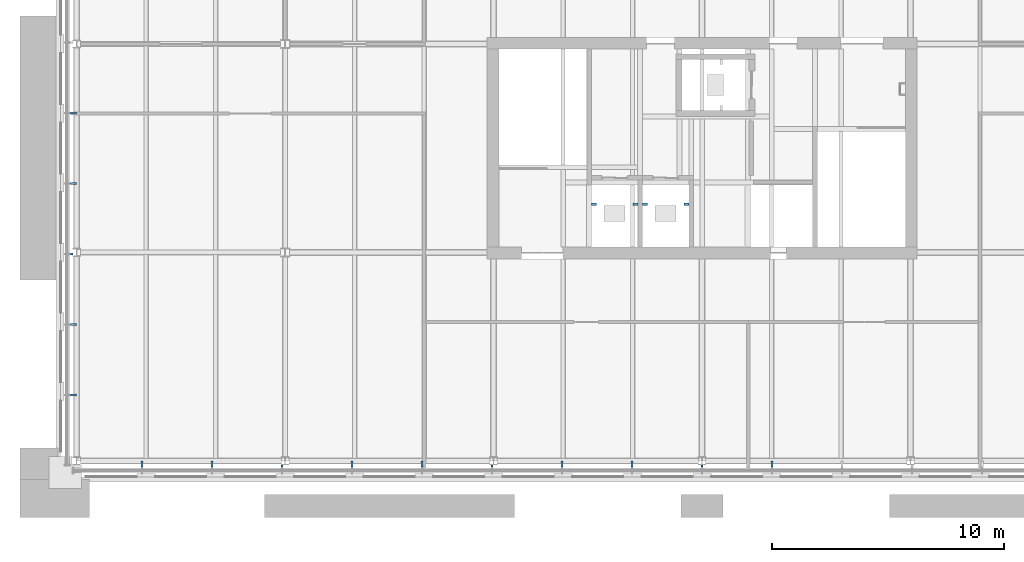
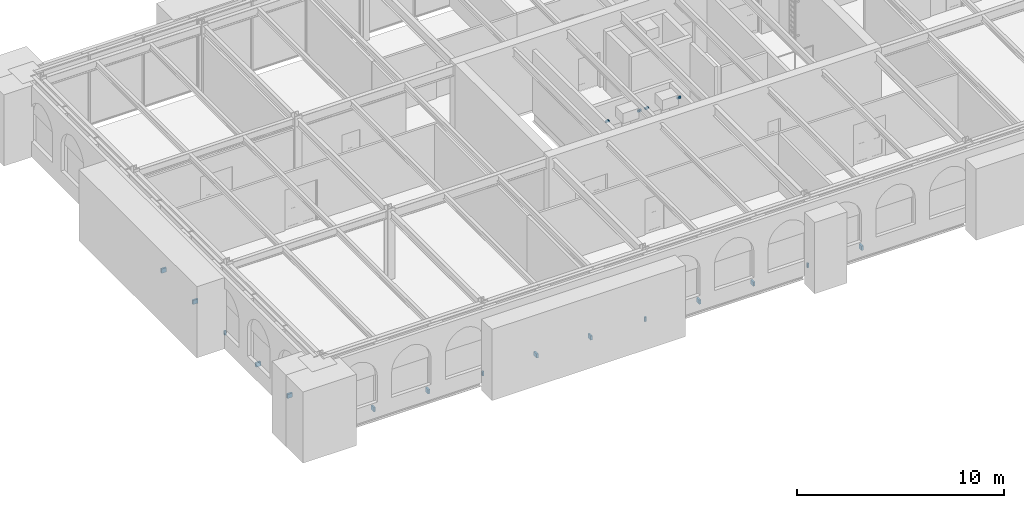
# One storey, part 17 of 24: 19 discrete accessories.
"""IFC4 building model written with IfcOpenShell, lengths in metres."""

from ifc_helpers import new_model, si_unit, direction, frame, origin, origin_2d, place, context, subcontext, project, spatial, rectangle, extrude, material, type_object, element, save


model = new_model("IFC4")

# Units and contexts
model_context = context("Model", 3, precision=1e-05, world=origin(), true_north=direction((0.0, 1.0)))
body_context = subcontext(model_context, "Body", "Model", "MODEL_VIEW")
ifc_project = project(units=[si_unit("LENGTHUNIT", "METRE"), si_unit("AREAUNIT", "SQUARE_METRE"), si_unit("VOLUMEUNIT", "CUBIC_METRE"), si_unit("PLANEANGLEUNIT", "RADIAN"), si_unit("MASSUNIT", "GRAM", prefix="KILO")], contexts=[model_context])

# Site, building, storey
site_placement = place(None, origin())
site = spatial("IfcSite", under=ifc_project, at=site_placement, CompositionType="ELEMENT")
building_placement = place(site_placement, origin())
building = spatial("IfcBuilding", under=site, at=building_placement, Name="Baradari Gate Terminus", CompositionType="ELEMENT")
storey_placement = place(building_placement, frame((0.0, 0.0, 32.699951171875)))
storey = spatial("IfcBuildingStorey", under=building, at=storey_placement, Name="L07", CompositionType="ELEMENT", Elevation=32.699951171875)

# Discrete accessories
ifc_material_1 = material(Name="Aluminium 6063-T6", Category="aluminium")
discrete_accessory_type_1 = type_object("IfcDiscreteAccessoryType", Name="Curtain wall bracket BK-1 100x250", PredefinedType="BRACKET", material=ifc_material_1)
for number, where, z_axis, x_axis, name in (
    (1, (11.822265625, 116.864990234375, -0.1298828125), (0.0, 0.0, 1.0), (0.0, -1.0, 0.0), "Curtain wall bracket L07/TS mullion 2"),
    (2, (14.844482421875, 116.864990234375, -0.1298828125), (0.0, 0.0, 1.0), (0.0, -1.0, 0.0), "Curtain wall bracket L07/TS mullion 3"),
):
    element("IfcDiscreteAccessory", number, at=place(storey_placement, frame(where, z_axis=z_axis, x_axis=x_axis)), inside=storey, type_object=discrete_accessory_type_1, Name=name, PredefinedType="BRACKET", context=body_context, shape_type="SweptSolid", body=[
        extrude(rectangle(XDim=0.27001953125, YDim=0.10009765625, at=origin_2d()), origin(), (0.0, 0.0, 1.0), 0.25),
    ])
discrete_accessory_1_placement = place(storey_placement, frame((17.86669921875, 116.780029296875, -0.1298828125), z_axis=(0.0, 0.0, 1.0), x_axis=(0.0, -1.0, 0.0)))
element("IfcDiscreteAccessory", 3, at=discrete_accessory_1_placement, inside=storey, type_object=discrete_accessory_type_1, Name="Curtain wall bracket L07/TS mullion 4", PredefinedType="BRACKET", context=body_context, shape_type="SweptSolid", body=[
    extrude(rectangle(XDim=0.10009765625, YDim=0.10009765625, at=origin_2d()), origin(), (0.0, 0.0, 1.0), 0.25),
])
for number, where, z_axis, x_axis, name in (
    (4, (20.888916015625, 116.864990234375, -0.1298828125), (0.0, 0.0, 1.0), (0.0, -1.0, 0.0), "Curtain wall bracket L07/TS mullion 5"),
    (5, (23.9111328125, 116.864990234375, -0.1298828125), (0.0, 0.0, 1.0), (0.0, -1.0, 0.0), "Curtain wall bracket L07/TS mullion 6"),
):
    element("IfcDiscreteAccessory", number, at=place(storey_placement, frame(where, z_axis=z_axis, x_axis=x_axis)), inside=storey, type_object=discrete_accessory_type_1, Name=name, PredefinedType="BRACKET", context=body_context, shape_type="SweptSolid", body=[
        extrude(rectangle(XDim=0.27001953125, YDim=0.10009765625, at=origin_2d()), origin(), (0.0, 0.0, 1.0), 0.25),
    ])
discrete_accessory_2_placement = place(storey_placement, frame((26.933349609375, 116.780029296875, -0.099853515625), z_axis=(0.0, 0.0, 1.0), x_axis=(0.0, -1.0, 0.0)))
element("IfcDiscreteAccessory", 6, at=discrete_accessory_2_placement, inside=storey, type_object=discrete_accessory_type_1, Name="Curtain wall bracket L07/TS mullion 7", PredefinedType="BRACKET", context=body_context, shape_type="SweptSolid", body=[
    extrude(rectangle(XDim=0.10009765625, YDim=0.10009765625, at=origin_2d()), origin(), (0.0, 0.0, 1.0), 0.25),
])
for number, where, z_axis, x_axis, name in (
    (7, (29.95556640625, 116.864990234375, -0.1298828125), (0.0, 0.0, 1.0), (0.0, -1.0, 0.0), "Curtain wall bracket L07/TS mullion 8"),
    (8, (32.977783203125, 116.864990234375, -0.1298828125), (0.0, 0.0, 1.0), (0.0, -1.0, 0.0), "Curtain wall bracket L07/TS mullion 9"),
):
    element("IfcDiscreteAccessory", number, at=place(storey_placement, frame(where, z_axis=z_axis, x_axis=x_axis)), inside=storey, type_object=discrete_accessory_type_1, Name=name, PredefinedType="BRACKET", context=body_context, shape_type="SweptSolid", body=[
        extrude(rectangle(XDim=0.27001953125, YDim=0.10009765625, at=origin_2d()), origin(), (0.0, 0.0, 1.0), 0.25),
    ])
discrete_accessory_3_placement = place(storey_placement, frame((36.0, 116.780029296875, -0.099853515625), z_axis=(0.0, 0.0, 1.0), x_axis=(0.0, -1.0, 0.0)))
element("IfcDiscreteAccessory", 9, at=discrete_accessory_3_placement, inside=storey, type_object=discrete_accessory_type_1, Name="Curtain wall bracket L07/TS mullion 10", PredefinedType="BRACKET", context=body_context, shape_type="SweptSolid", body=[
    extrude(rectangle(XDim=0.10009765625, YDim=0.10009765625, at=origin_2d()), origin(), (0.0, 0.0, 1.0), 0.25),
])
for number, where, z_axis, x_axis, name in (
    (10, (39.022216796875, 116.864990234375, -0.1298828125), (0.0, 0.0, 1.0), (0.0, -1.0, 0.0), "Curtain wall bracket L07/TS mullion 11"),
    (11, (8.864990234375, 132.022216796875, -0.1298828125), (0.0, 0.0, 1.0), (-1.0, 0.0, 0.0), "Curtain wall bracket L07/TW mullion 5"),
    (12, (8.864990234375, 128.977783203125, -0.1298828125), (0.0, 0.0, 1.0), (-1.0, 0.0, 0.0), "Curtain wall bracket L07/TW mullion 6"),
):
    element("IfcDiscreteAccessory", number, at=place(storey_placement, frame(where, z_axis=z_axis, x_axis=x_axis)), inside=storey, type_object=discrete_accessory_type_1, Name=name, PredefinedType="BRACKET", context=body_context, shape_type="SweptSolid", body=[
        extrude(rectangle(XDim=0.27001953125, YDim=0.10009765625, at=origin_2d()), origin(), (0.0, 0.0, 1.0), 0.25),
    ])
discrete_accessory_4_placement = place(storey_placement, frame((8.786376953125, 125.933349609375, -0.099853515625), z_axis=(0.0, 0.0, 1.0), x_axis=(-1.0, 0.0, 0.0)))
element("IfcDiscreteAccessory", 13, at=discrete_accessory_4_placement, inside=storey, type_object=discrete_accessory_type_1, Name="Curtain wall bracket L07/TW mullion 7", PredefinedType="BRACKET", context=body_context, shape_type="SweptSolid", body=[
    extrude(rectangle(XDim=0.11279296875, YDim=0.10009765625, at=origin_2d()), origin(), (0.0, 0.0, 1.0), 0.25),
])
for number, where, z_axis, x_axis, name in (
    (14, (8.864990234375, 122.888916015625, -0.1298828125), (0.0, 0.0, 1.0), (-1.0, 0.0, 0.0), "Curtain wall bracket L07/TW mullion 8"),
    (15, (8.864990234375, 119.844482421875, -0.1298828125), (0.0, 0.0, 1.0), (-1.0, 0.0, 0.0), "Curtain wall bracket L07/TW mullion 9"),
):
    element("IfcDiscreteAccessory", number, at=place(storey_placement, frame(where, z_axis=z_axis, x_axis=x_axis)), inside=storey, type_object=discrete_accessory_type_1, Name=name, PredefinedType="BRACKET", context=body_context, shape_type="SweptSolid", body=[
        extrude(rectangle(XDim=0.27001953125, YDim=0.10009765625, at=origin_2d()), origin(), (0.0, 0.0, 1.0), 0.25),
    ])
ifc_material_2 = material(Name="Steel S355", Category="steel")
discrete_accessory_type_2 = type_object("IfcDiscreteAccessoryType", Name="Lift rail bracket RB-L1 100x100", PredefinedType="BRACKET", material=ifc_material_2)
for number, where, z_axis, x_axis, name in (
    (16, (31.330078125, 128.074951171875, 3.25), (0.0, 0.0, 1.0), (1.0, 0.0, 0.0), "Lift rail bracket LT1 1B"),
    (17, (33.1201171875, 128.074951171875, 3.25), (0.0, 0.0, 1.0), (1.0, 0.0, 0.0), "Lift rail bracket LT1 2B"),
    (18, (33.530029296875, 128.074951171875, 3.25), (0.0, 0.0, 1.0), (1.0, 0.0, 0.0), "Lift rail bracket LT2 1B"),
    (19, (35.320068359375, 128.074951171875, 3.25), (0.0, 0.0, 1.0), (1.0, 0.0, 0.0), "Lift rail bracket LT2 2B"),
):
    element("IfcDiscreteAccessory", number, at=place(storey_placement, frame(where, z_axis=z_axis, x_axis=x_axis)), inside=storey, type_object=discrete_accessory_type_2, Name=name, PredefinedType="BRACKET", context=body_context, shape_type="SweptSolid", body=[
        extrude(rectangle(XDim=0.2099609375, YDim=0.10009765625, at=origin_2d()), origin(), (0.0, 0.0, 1.0), 0.10009765625),
    ])

save(model, "model.ifc")
